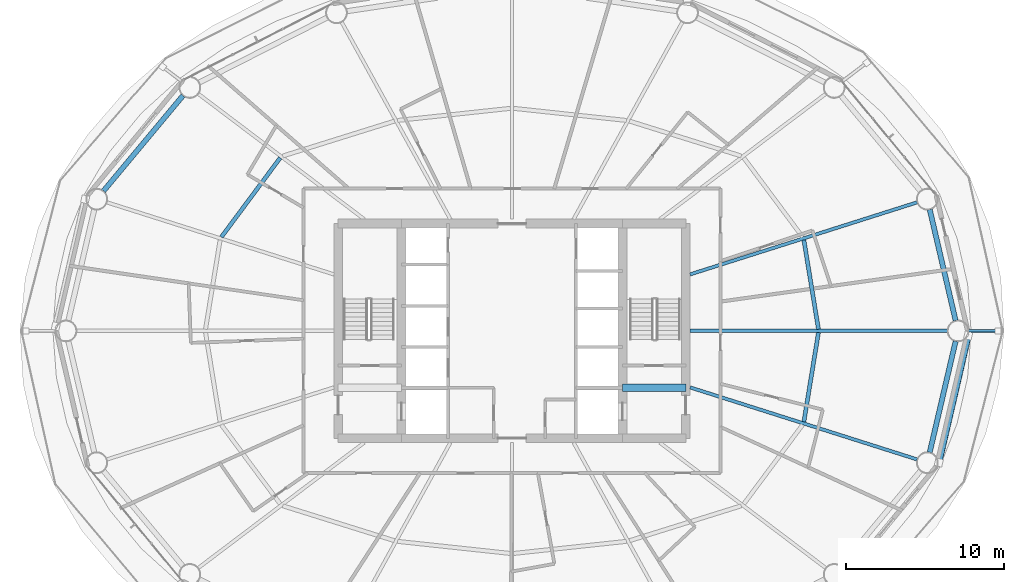
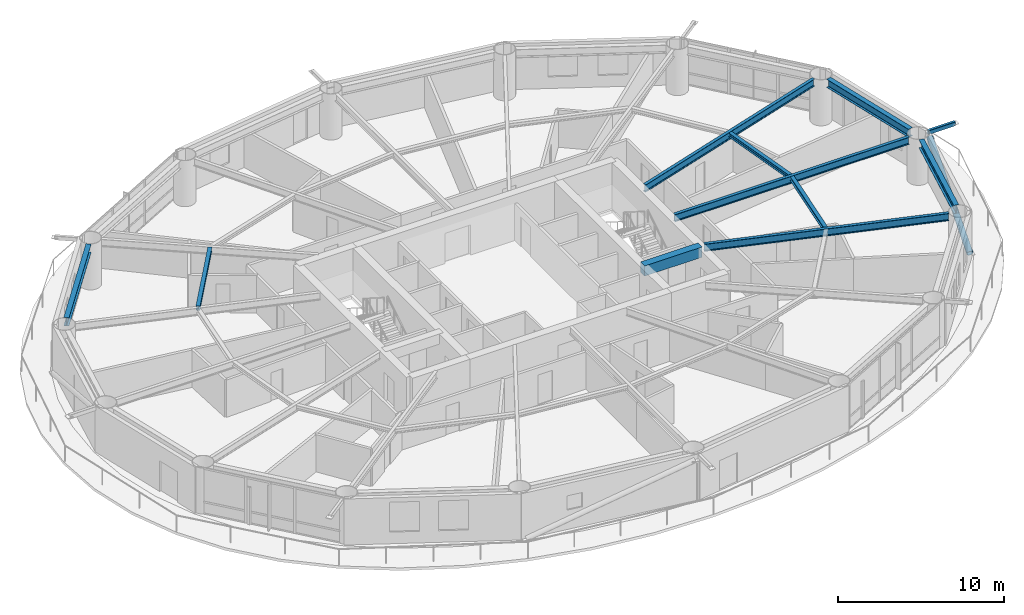
# One storey, part 7 of 24: 10 beams, 2 members.
"""IFC4 building model written with IfcOpenShell, lengths in metres."""

from ifc_helpers import new_model, si_unit, direction, frame, origin, origin_2d, place, context, subcontext, project, spatial, rectangle, hollow_rectangle, hollow_circle, i_section, extrude, material, material_profile, profile_set, type_object, element, save


model = new_model("IFC4")

# Units and contexts
model_context = context("Model", 3, precision=1e-05, world=origin(), true_north=direction((0.0, 1.0)))
body_context = subcontext(model_context, "Body", "Model", "MODEL_VIEW")
ifc_project = project(units=[si_unit("LENGTHUNIT", "METRE"), si_unit("AREAUNIT", "SQUARE_METRE"), si_unit("VOLUMEUNIT", "CUBIC_METRE"), si_unit("PLANEANGLEUNIT", "RADIAN"), si_unit("MASSUNIT", "GRAM", prefix="KILO")], contexts=[model_context])

# Site, building, storey
site_placement = place(None, origin())
site = spatial("IfcSite", under=ifc_project, at=site_placement, CompositionType="ELEMENT")
building_placement = place(site_placement, origin())
building = spatial("IfcBuilding", under=site, at=building_placement, Name="Sarneth Arch Tower", CompositionType="ELEMENT")
storey_placement = place(building_placement, frame((0.0, 0.0, 120.0)))
storey = spatial("IfcBuildingStorey", under=building, at=storey_placement, Name="L30", CompositionType="ELEMENT", Elevation=120.0)

# Beams
ifc_material_1 = material(Name="Steel S355", Category="steel")
ifc_material_profile_1 = material_profile(ifc_material_1, i_section(OverallWidth=0.25390625, OverallDepth=0.305908203125, WebThickness=0.0087890625, FlangeThickness=0.0146484375, FilletRadius=0.014892578125, at=origin_2d()), Name="W310x79")
ifc_profile_set_1 = profile_set([ifc_material_profile_1], Name="Steel S355")
beam_type_1 = type_object("IfcBeamType", Name="BM-JOIST-310A", PredefinedType="JOIST", material=ifc_profile_set_1)
beam_1_placement = place(storey_placement, frame((67.4013671875, 42.10400390625, 3.22705078125), z_axis=(-0.16120310833, 0.986921252109, 0.0), x_axis=(-0.986921252109, -0.16120310833, 0.0)))
element("IfcBeam", 1, at=beam_1_placement, inside=storey, type_object=beam_type_1, Name="L30 Secondary floor joist 01", PredefinedType="JOIST", context=body_context, shape_type="SweptSolid", body=[
    extrude(i_section(OverallWidth=0.25390625, OverallDepth=0.305908203125, WebThickness=0.0087890625, FlangeThickness=0.0146484375, FilletRadius=0.014892578125, at=origin_2d()), origin(), (0.0, 0.0, 1.0), 5.724853515625),
])
beam_2_placement = place(storey_placement, frame((33.32666015625, 52.956787109375, 3.22705078125), z_axis=(-0.596354224217, -0.80272139579, 0.0), x_axis=(0.80272139579, -0.596354224217, 0.0)))
element("IfcBeam", 2, at=beam_2_placement, inside=storey, type_object=beam_type_1, Name="L30 Secondary floor joist 07", PredefinedType="JOIST", context=body_context, shape_type="SweptSolid", body=[
    extrude(i_section(OverallWidth=0.25390625, OverallDepth=0.305908203125, WebThickness=0.0087890625, FlangeThickness=0.0146484375, FilletRadius=0.014892578125, at=origin_2d()), origin(), (0.0, 0.0, 1.0), 6.246337890625),
])
beam_3_placement = place(storey_placement, frame((66.478515625, 36.24609375, 3.22705078125), z_axis=(0.16120310833, 0.986921252109, 0.0), x_axis=(-0.986921252109, 0.16120310833, 0.0)))
element("IfcBeam", 3, at=beam_3_placement, inside=storey, type_object=beam_type_1, Name="L30 Secondary floor joist 16", PredefinedType="JOIST", context=body_context, shape_type="SweptSolid", body=[
    extrude(i_section(OverallWidth=0.25390625, OverallDepth=0.305908203125, WebThickness=0.0087890625, FlangeThickness=0.0146484375, FilletRadius=0.014892578125, at=origin_2d()), origin(), (0.0, 0.0, 1.0), 5.724853515625),
])
ifc_material_2 = material(Name="Concrete C50/60", Category="concrete")
ifc_material_profile_2 = material_profile(ifc_material_2, rectangle(XDim=0.5, YDim=0.75, at=origin_2d()), Name="RC-500x750")
ifc_profile_set_2 = profile_set([ifc_material_profile_2], Name="Concrete C50/60")
beam_type_2 = type_object("IfcBeamType", Name="BM-LINTEL-RC", PredefinedType="LINTEL", material=ifc_profile_set_2)
beam_4_placement = place(storey_placement, frame((55.0, 38.39990234375, 3.0048828125), z_axis=(1.0, 0.0, 0.0), x_axis=(0.0, 1.0, 0.0)))
element("IfcBeam", 4, at=beam_4_placement, inside=storey, type_object=beam_type_2, Name="L30 Core coupling lintel E", PredefinedType="LINTEL", context=body_context, shape_type="SweptSolid", body=[
    extrude(rectangle(XDim=0.5, YDim=0.75, at=origin_2d()), origin(), (0.0, 0.0, 1.0), 4.0),
])
ifc_material_3 = material(Name="Steel S355", Category="steel")
ifc_material_profile_3 = material_profile(ifc_material_3, i_section(OverallWidth=0.2109375, OverallDepth=0.5390625, WebThickness=0.01171875, FlangeThickness=0.018798828125, FilletRadius=0.01806640625, at=origin_2d()), Name="W530x109")
ifc_profile_set_3 = profile_set([ifc_material_profile_3], Name="Steel S355")
beam_type_3 = type_object("IfcBeamType", Name="BM-RAD-530B", PredefinedType="BEAM", material=ifc_profile_set_3)
beam_5_placement = place(storey_placement, frame((59.27490234375, 42.0, 3.110595703125), z_axis=(1.0, 0.0, 0.0), x_axis=(0.0, 1.0, 0.0)))
element("IfcBeam", 5, at=beam_5_placement, inside=storey, type_object=beam_type_3, Name="L30 Radial floor girder 01", PredefinedType="BEAM", context=body_context, shape_type="SweptSolid", body=[
    extrude(i_section(OverallWidth=0.2109375, OverallDepth=0.5390625, WebThickness=0.01171875, FlangeThickness=0.018798828125, FilletRadius=0.01806640625, at=origin_2d()), origin(), (0.0, 0.0, 1.0), 16.28662109375),
])
for number, where, z_axis, x_axis, name in (
    (6, (59.27490234375, 45.57763671875, 3.110595703125), (0.95316257761, 0.302458427958, 0.0), (-0.302458427958, 0.95316257761, 0.0), "L30 Radial floor girder 02"),
    (7, (59.27490234375, 38.42236328125, 3.110595703125), (0.95316257761, -0.302458427958, 0.0), (0.302458427958, 0.95316257761, 0.0), "L30 Radial floor girder 16"),
):
    element("IfcBeam", number, at=place(storey_placement, frame(where, z_axis=z_axis, x_axis=x_axis)), inside=storey, type_object=beam_type_3, Name=name, PredefinedType="BEAM", context=body_context, shape_type="SweptSolid", body=[
        extrude(i_section(OverallWidth=0.2109375, OverallDepth=0.5390625, WebThickness=0.01171875, FlangeThickness=0.018798828125, FilletRadius=0.01806640625, at=origin_2d()), origin(), (0.0, 0.0, 1.0), 15.0791015625),
    ])
ifc_material_4 = material(Name="Steel S355", Category="steel")
ifc_material_profile_4 = material_profile(ifc_material_4, i_section(OverallWidth=0.323974609375, OverallDepth=0.611083984375, WebThickness=0.0126953125, FlangeThickness=0.01904296875, FilletRadius=0.01904296875, at=origin_2d()), Name="W610x155")
ifc_profile_set_4 = profile_set([ifc_material_profile_4], Name="Steel S355")
beam_type_4 = type_object("IfcBeamType", Name="BM-SPAN-610B", PredefinedType="SPANDREL", material=ifc_profile_set_4)
beam_6_placement = place(storey_placement, frame((76.083251953125, 42.657470703125, 3.074462890625), z_axis=(-0.22708522689, 0.973874889156, 0.0), x_axis=(-0.973874889156, -0.22708522689, 0.0)))
element("IfcBeam", 8, at=beam_6_placement, inside=storey, type_object=beam_type_4, Name="L30 Perimeter spandrel beam 01", PredefinedType="SPANDREL", context=body_context, shape_type="SweptSolid", body=[
    extrude(i_section(OverallWidth=0.323974609375, OverallDepth=0.611083984375, WebThickness=0.0126953125, FlangeThickness=0.01904296875, FilletRadius=0.01904296875, at=origin_2d()), origin(), (0.0, 0.0, 1.0), 7.216064453125),
])
beam_7_placement = place(storey_placement, frame((27.170166015625, 56.896484375, 3.074462890625), z_axis=(-0.640169116175, -0.768234015581, 0.0), x_axis=(0.768234015581, -0.640169116175, 0.0)))
element("IfcBeam", 9, at=beam_7_placement, inside=storey, type_object=beam_type_4, Name="L30 Perimeter spandrel beam 07", PredefinedType="SPANDREL", context=body_context, shape_type="SweptSolid", body=[
    extrude(i_section(OverallWidth=0.323974609375, OverallDepth=0.611083984375, WebThickness=0.0126953125, FlangeThickness=0.01904296875, FilletRadius=0.01904296875, at=origin_2d()), origin(), (0.0, 0.0, 1.0), 7.856201171875),
])
beam_8_placement = place(storey_placement, frame((74.444580078125, 34.31494140625, 3.074462890625), z_axis=(0.22708522689, 0.973874889156, 0.0), x_axis=(-0.973874889156, 0.22708522689, 0.0)))
element("IfcBeam", 10, at=beam_8_placement, inside=storey, type_object=beam_type_4, Name="L30 Perimeter spandrel beam 16", PredefinedType="SPANDREL", context=body_context, shape_type="SweptSolid", body=[
    extrude(i_section(OverallWidth=0.323974609375, OverallDepth=0.611083984375, WebThickness=0.0126953125, FlangeThickness=0.01904296875, FilletRadius=0.01904296875, at=origin_2d()), origin(), (0.0, 0.0, 1.0), 7.216064453125),
])

# Members
ifc_material_5 = material(Name="Steel S355", Category="steel")
ifc_material_profile_5 = material_profile(ifc_material_5, hollow_rectangle(XDim=0.199951171875, YDim=0.300048828125, WallThickness=0.012451171875, InnerFilletRadius=0.018798828125, OuterFilletRadius=0.03125, at=origin_2d()), Name="RHS300x200x12.5")
ifc_profile_set_5 = profile_set([ifc_material_profile_5], Name="Steel S355")
member_type_1 = type_object("IfcMemberType", Name="MEM-CANT-STRUT", PredefinedType="STRUT", material=ifc_profile_set_5)
member_1_placement = place(storey_placement, frame((76.91162109375, 42.0, 3.219970703125), z_axis=(1.0, 0.0, 0.0), x_axis=(0.0, 1.0, 0.0)))
element("IfcMember", 11, at=member_1_placement, inside=storey, type_object=member_type_1, Name="L30 Balcony cantilever bracket 01", PredefinedType="STRUT", context=body_context, shape_type="SweptSolid", body=[
    extrude(hollow_rectangle(XDim=0.199951171875, YDim=0.300048828125, WallThickness=0.012451171875, InnerFilletRadius=0.018798828125, OuterFilletRadius=0.03125, at=origin_2d()), origin(), (0.0, 0.0, 1.0), 1.869384765625),
])
ifc_material_6 = material(Name="Steel S355", Category="steel")
ifc_material_profile_6 = material_profile(ifc_material_6, hollow_circle(Radius=0.202880859375, WallThickness=0.01611328125, at=origin_2d()), Name="CHS406x16")
ifc_profile_set_6 = profile_set([ifc_material_profile_6], Name="Steel S355")
member_type_2 = type_object("IfcMemberType", Name="MEM-DIAG-BR2", PredefinedType="BRACE", material=ifc_profile_set_6)
member_2_placement = place(storey_placement, frame((75.01953125, 33.67041015625, 0.02001953125), z_axis=(0.21184573702, 0.915846816603, 0.341095283204), x_axis=(-0.974275349464, 0.225360918143, 0.0)))
element("IfcMember", 12, at=member_2_placement, inside=storey, type_object=member_type_2, Name="L30 Perimeter frame diagonal 16", PredefinedType="BRACE", context=body_context, shape_type="SweptSolid", body=[
    extrude(hollow_circle(Radius=0.202880859375, WallThickness=0.01611328125, at=origin_2d()), origin(), (0.0, 0.0, 1.0), 8.77587890625),
])

save(model, "model.ifc")
